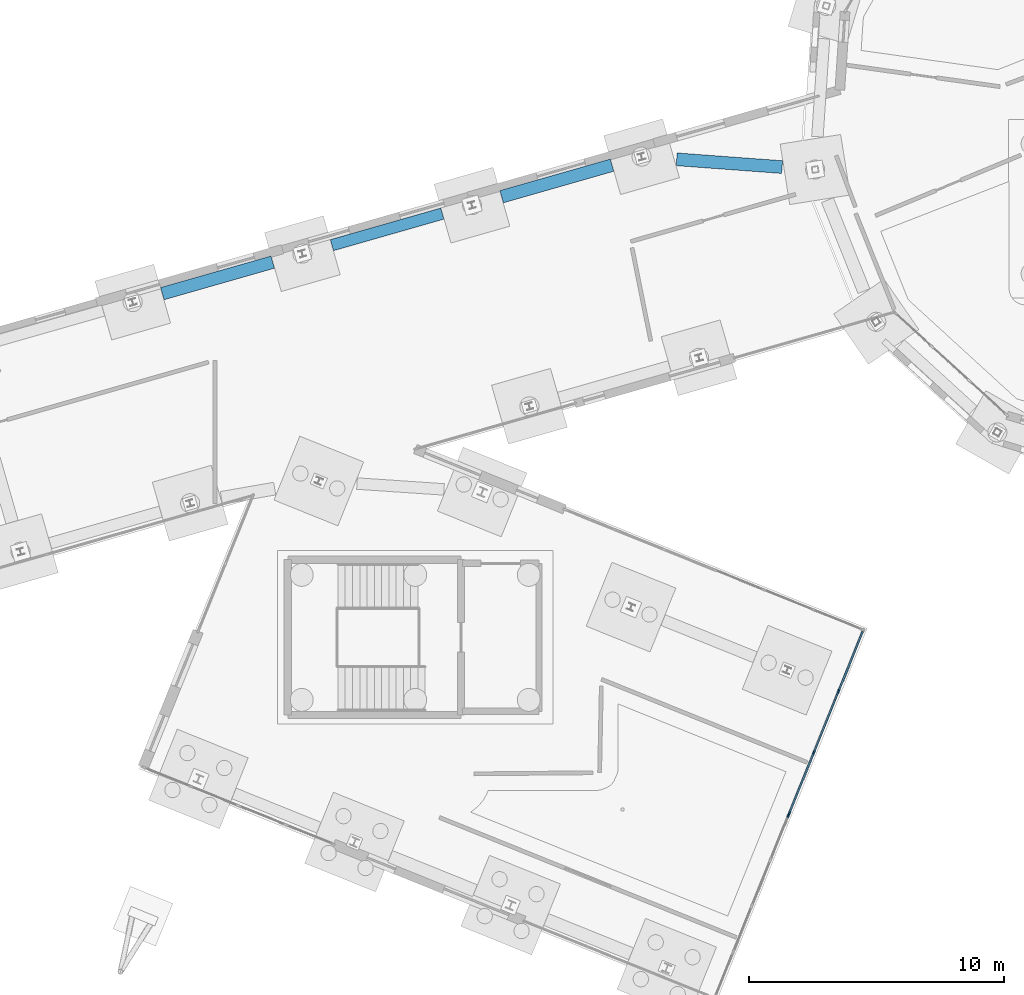
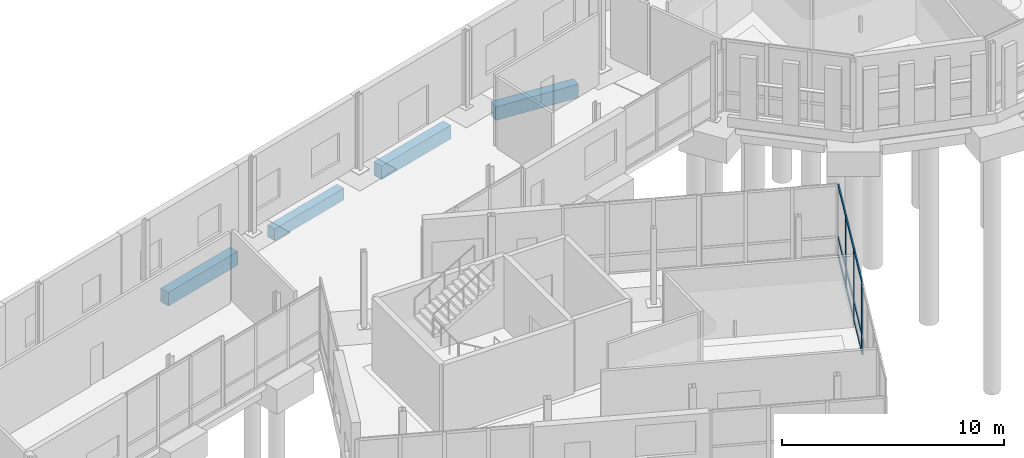
# One storey, part 45 of 113: 13 members, 4 beams, 2 elements without a shape of their own.
"""IFC4 building model written with IfcOpenShell, lengths in metres."""

from ifc_helpers import new_model, si_unit, direction, frame, origin, origin_2d, place, context, subcontext, project, spatial, rectangle, extrude, material, material_profile, profile_set, type_object, element, aggregate, save


model = new_model("IFC4")

# Units and contexts
model_context = context("Model", 3, precision=1e-05, world=origin(), true_north=direction((0.0, 1.0)))
body_context = subcontext(model_context, "Body", "Model", "MODEL_VIEW")
ifc_project = project(units=[si_unit("LENGTHUNIT", "METRE"), si_unit("AREAUNIT", "SQUARE_METRE"), si_unit("VOLUMEUNIT", "CUBIC_METRE"), si_unit("PLANEANGLEUNIT", "RADIAN"), si_unit("MASSUNIT", "GRAM", prefix="KILO")], contexts=[model_context])

# Site, building, storey
site_placement = place(None, origin())
site = spatial("IfcSite", under=ifc_project, at=site_placement, CompositionType="ELEMENT")
building_placement = place(site_placement, origin())
building = spatial("IfcBuilding", under=site, at=building_placement, Name="Wrenclough Park School", CompositionType="ELEMENT")
storey_placement = place(building_placement, origin())
storey = spatial("IfcBuildingStorey", under=building, at=storey_placement, Name="L00", CompositionType="ELEMENT", Elevation=0.0)

# Curtain wall, members
ifc_material_1 = material(Name="Thermally broken aluminium and low-e glass curtain wall", Category="aluminium")
curtain_wall_type_1 = type_object("IfcCurtainWallType", Name="ENV-CW-10", PredefinedType="USERDEFINED", material=ifc_material_1)
curtain_wall_1_placement = place(storey_placement, origin())
curtain_wall_1 = element("IfcCurtainWall", 1, at=curtain_wall_1_placement, inside=storey, type_object=curtain_wall_type_1, Name="L00 recessed curtain wall assembly 073", ObjectType="CURTAIN WALL", PredefinedType="USERDEFINED")
ifc_material_2 = material(Name="Thermally broken anodised aluminium", Category="aluminium")
ifc_material_profile_1 = material_profile(ifc_material_2, rectangle(XDim=0.06494140625, YDim=0.179931640625, at=origin_2d()), Name="AL MULLION 65x180")
ifc_profile_set_1 = profile_set([ifc_material_profile_1], Name="Thermally broken anodised aluminium")
member_type_1 = type_object("IfcMemberType", Name="ENV-CWM-2", PredefinedType="MULLION", material=ifc_profile_set_1)
member_1_placement = place(storey_placement, frame((69.642822265625, 85.782470703125, 0.0), z_axis=(0.0, 0.0, 1.0), x_axis=(0.92719070923, -0.374589627082, 0.0)))
member_1 = element("IfcMember", 2, at=member_1_placement, type_object=member_type_1, Name="CW-10 mullion 2", PredefinedType="MULLION", context=body_context, shape_type="SweptSolid", body=[
    extrude(rectangle(XDim=0.06494140625, YDim=0.179931640625, at=origin_2d()), origin(), (0.0, 0.0, 1.0), 3.93994140625),
])
member_2_placement = place(storey_placement, frame((68.67236328125, 83.380615234375, 0.0), z_axis=(0.0, 0.0, 1.0), x_axis=(0.92719070923, -0.374589627082, 0.0)))
member_2 = element("IfcMember", 3, at=member_2_placement, type_object=member_type_1, Name="CW-10 mullion 3", PredefinedType="MULLION", context=body_context, shape_type="SweptSolid", body=[
    extrude(rectangle(XDim=0.06494140625, YDim=0.179931640625, at=origin_2d()), origin(), (0.0, 0.0, 1.0), 3.93994140625),
])
member_3_placement = place(storey_placement, frame((67.714111328125, 81.008544921875, 0.0), z_axis=(0.0, 0.0, 1.0), x_axis=(0.92719070923, -0.374589627082, 0.0)))
member_3 = element("IfcMember", 4, at=member_3_placement, type_object=member_type_1, Name="CW-10 mullion 4", PredefinedType="MULLION", context=body_context, shape_type="SweptSolid", body=[
    extrude(rectangle(XDim=0.06494140625, YDim=0.179931640625, at=origin_2d()), origin(), (0.0, 0.0, 1.0), 3.93994140625),
])

# Curtain wall, member
curtain_wall_type_2 = type_object("IfcCurtainWallType", Name="ENV-CW-11", PredefinedType="USERDEFINED", material=ifc_material_1)
curtain_wall_2_placement = place(storey_placement, origin())
curtain_wall_2 = element("IfcCurtainWall", 5, at=curtain_wall_2_placement, inside=storey, type_object=curtain_wall_type_2, Name="L00 recessed curtain wall assembly 074", ObjectType="CURTAIN WALL", PredefinedType="USERDEFINED")
ifc_material_profile_2 = material_profile(ifc_material_2, rectangle(XDim=0.070068359375, YDim=0.199951171875, at=origin_2d()), Name="AL MULLION 70x200")
ifc_profile_set_2 = profile_set([ifc_material_profile_2], Name="Thermally broken anodised aluminium")
member_type_2 = type_object("IfcMemberType", Name="ENV-CWM-3", PredefinedType="MULLION", material=ifc_profile_set_2)
member_4_placement = place(storey_placement, frame((67.685791015625, 80.938720703125, 0.0), z_axis=(0.0, 0.0, 1.0), x_axis=(0.927186240353, -0.374600688333, 0.0)))
member_4 = element("IfcMember", 6, at=member_4_placement, type_object=member_type_2, Name="CW-11 mullion 1", PredefinedType="MULLION", context=body_context, shape_type="SweptSolid", body=[
    extrude(rectangle(XDim=0.070068359375, YDim=0.199951171875, at=origin_2d()), origin(), (0.0, 0.0, 1.0), 3.93994140625),
])
aggregate(curtain_wall_2, [member_4])

# Member
ifc_material_profile_3 = material_profile(ifc_material_2, rectangle(XDim=0.06494140625, YDim=0.139892578125, at=origin_2d()), Name="AL TRANSOM 65x140")
ifc_profile_set_3 = profile_set([ifc_material_profile_3], Name="Thermally broken anodised aluminium")
member_type_3 = type_object("IfcMemberType", Name="ENV-CWT-2", PredefinedType="USERDEFINED", material=ifc_profile_set_3)
member_5_placement = place(storey_placement, frame((70.5888671875, 88.124267578125, 0.032470703125), z_axis=(-0.374579627676, -0.927194748977, 0.0), x_axis=(0.927194748977, -0.374579627676, 0.0)))
member_5 = element("IfcMember", 7, at=member_5_placement, type_object=member_type_3, Name="CW-10 transom 1.1", ObjectType="TRANSOM", PredefinedType="USERDEFINED", context=body_context, shape_type="SweptSolid", body=[
    extrude(rectangle(XDim=0.06494140625, YDim=0.139892578125, at=origin_2d()), origin(), (0.0, 0.0, 1.0), 2.492919921875),
])

member_6_placement = place(storey_placement, frame((70.5888671875, 88.124267578125, 1.050048828125), z_axis=(-0.374579627676, -0.927194748977, 0.0), x_axis=(0.927194748977, -0.374579627676, 0.0)))
member_6 = element("IfcMember", 8, at=member_6_placement, type_object=member_type_3, Name="CW-10 transom 1.2", ObjectType="TRANSOM", PredefinedType="USERDEFINED", context=body_context, shape_type="SweptSolid", body=[
    extrude(rectangle(XDim=0.06494140625, YDim=0.139892578125, at=origin_2d()), origin(), (0.0, 0.0, 1.0), 2.492919921875),
])

member_7_placement = place(storey_placement, frame((70.5888671875, 88.124267578125, 3.907470703125), z_axis=(-0.374579627676, -0.927194748977, 0.0), x_axis=(0.927194748977, -0.374579627676, 0.0)))
member_7 = element("IfcMember", 9, at=member_7_placement, type_object=member_type_3, Name="CW-10 transom 1.3", ObjectType="TRANSOM", PredefinedType="USERDEFINED", context=body_context, shape_type="SweptSolid", body=[
    extrude(rectangle(XDim=0.06494140625, YDim=0.139892578125, at=origin_2d()), origin(), (0.0, 0.0, 1.0), 2.492919921875),
])

member_8_placement = place(storey_placement, frame((69.630615234375, 85.75244140625, 0.032470703125), z_axis=(-0.374571728347, -0.927197940207, 0.0), x_axis=(0.927197940207, -0.374571728347, 0.0)))
member_8 = element("IfcMember", 10, at=member_8_placement, type_object=member_type_3, Name="CW-10 transom 2.1", ObjectType="TRANSOM", PredefinedType="USERDEFINED", context=body_context, shape_type="SweptSolid", body=[
    extrude(rectangle(XDim=0.06494140625, YDim=0.139892578125, at=origin_2d()), origin(), (0.0, 0.0, 1.0), 2.525634765625),
])

member_9_placement = place(storey_placement, frame((69.630615234375, 85.75244140625, 1.050048828125), z_axis=(-0.374571728347, -0.927197940207, 0.0), x_axis=(0.927197940207, -0.374571728347, 0.0)))
member_9 = element("IfcMember", 11, at=member_9_placement, type_object=member_type_3, Name="CW-10 transom 2.2", ObjectType="TRANSOM", PredefinedType="USERDEFINED", context=body_context, shape_type="SweptSolid", body=[
    extrude(rectangle(XDim=0.06494140625, YDim=0.139892578125, at=origin_2d()), origin(), (0.0, 0.0, 1.0), 2.525634765625),
])

member_10_placement = place(storey_placement, frame((69.630615234375, 85.75244140625, 3.907470703125), z_axis=(-0.374571728347, -0.927197940207, 0.0), x_axis=(0.927197940207, -0.374571728347, 0.0)))
member_10 = element("IfcMember", 12, at=member_10_placement, type_object=member_type_3, Name="CW-10 transom 2.3", ObjectType="TRANSOM", PredefinedType="USERDEFINED", context=body_context, shape_type="SweptSolid", body=[
    extrude(rectangle(XDim=0.06494140625, YDim=0.139892578125, at=origin_2d()), origin(), (0.0, 0.0, 1.0), 2.525634765625),
])

member_11_placement = place(storey_placement, frame((68.66015625, 83.350341796875, 0.032470703125), z_axis=(-0.374579627676, -0.927194748977, 0.0), x_axis=(0.927194748977, -0.374579627676, 0.0)))
member_11 = element("IfcMember", 13, at=member_11_placement, type_object=member_type_3, Name="CW-10 transom 3.1", ObjectType="TRANSOM", PredefinedType="USERDEFINED", context=body_context, shape_type="SweptSolid", body=[
    extrude(rectangle(XDim=0.06494140625, YDim=0.139892578125, at=origin_2d()), origin(), (0.0, 0.0, 1.0), 2.492919921875),
])

member_12_placement = place(storey_placement, frame((68.66015625, 83.350341796875, 1.050048828125), z_axis=(-0.374579627676, -0.927194748977, 0.0), x_axis=(0.927194748977, -0.374579627676, 0.0)))
member_12 = element("IfcMember", 14, at=member_12_placement, type_object=member_type_3, Name="CW-10 transom 3.2", ObjectType="TRANSOM", PredefinedType="USERDEFINED", context=body_context, shape_type="SweptSolid", body=[
    extrude(rectangle(XDim=0.06494140625, YDim=0.139892578125, at=origin_2d()), origin(), (0.0, 0.0, 1.0), 2.492919921875),
])

member_13_placement = place(storey_placement, frame((68.66015625, 83.350341796875, 3.907470703125), z_axis=(-0.374579627676, -0.927194748977, 0.0), x_axis=(0.927194748977, -0.374579627676, 0.0)))
member_13 = element("IfcMember", 15, at=member_13_placement, type_object=member_type_3, Name="CW-10 transom 3.3", ObjectType="TRANSOM", PredefinedType="USERDEFINED", context=body_context, shape_type="SweptSolid", body=[
    extrude(rectangle(XDim=0.06494140625, YDim=0.139892578125, at=origin_2d()), origin(), (0.0, 0.0, 1.0), 2.492919921875),
])

aggregate(curtain_wall_1, [member_1, member_2, member_3, member_5, member_6, member_7, member_8, member_9, member_10, member_11, member_12, member_13])

# Beams
ifc_material_3 = material(Name="Concrete C35/45", Category="concrete")
ifc_material_profile_4 = material_profile(ifc_material_3, rectangle(XDim=0.449951171875, YDim=0.64990234375, at=origin_2d()), Name="RC GROUND 450x650")
ifc_profile_set_4 = profile_set([ifc_material_profile_4], Name="Concrete C35/45")
beam_type_1 = type_object("IfcBeamType", Name="STR-BM-GTB1", PredefinedType="USERDEFINED", material=ifc_profile_set_4)
beam_1_placement = place(storey_placement, frame((49.78515625, 103.274169921875, -0.625), z_axis=(0.961534183476, 0.274685299946, 0.0), x_axis=(-0.274685299946, 0.961534183476, 0.0)))
element("IfcBeam", 16, at=beam_1_placement, inside=storey, type_object=beam_type_1, Name="Reinforced concrete ground tie beam 143", ObjectType="GROUND TIE BEAM", PredefinedType="USERDEFINED", context=body_context, shape_type="SweptSolid", body=[
    extrude(rectangle(XDim=0.449951171875, YDim=0.64990234375, at=origin_2d()), origin(), (0.0, 0.0, 1.0), 4.5),
])
ifc_material_profile_5 = material_profile(ifc_material_3, rectangle(XDim=0.5, YDim=0.75, at=origin_2d()), Name="RC GROUND 500x750")
ifc_profile_set_5 = profile_set([ifc_material_profile_5], Name="Concrete C35/45")
beam_type_2 = type_object("IfcBeamType", Name="STR-BM-GTB2", PredefinedType="USERDEFINED", material=ifc_profile_set_5)
for number, where, z_axis, x_axis, name in (
    (17, (43.135009765625, 101.3740234375, -0.675048828125), (0.961523947641, 0.274721127897, 0.0), (-0.274721127897, 0.961523947641, 0.0), "Reinforced concrete ground tie beam 142"),
    (18, (56.43505859375, 105.174072265625, -0.675048828125), (0.961523947641, 0.274721127897, 0.0), (-0.274721127897, 0.961523947641, 0.0), "Reinforced concrete ground tie beam 144"),
):
    element("IfcBeam", number, at=place(storey_placement, frame(where, z_axis=z_axis, x_axis=x_axis)), inside=storey, type_object=beam_type_2, Name=name, ObjectType="GROUND TIE BEAM", PredefinedType="USERDEFINED", context=body_context, shape_type="SweptSolid", body=[
        extrude(rectangle(XDim=0.5, YDim=0.75, at=origin_2d()), origin(), (0.0, 0.0, 1.0), 4.500244140625),
    ])
beam_2_placement = place(storey_placement, frame((63.298828125, 106.640625, -0.675048828125), z_axis=(0.997278837879, -0.073721906647, 0.0), x_axis=(0.073721906647, 0.997278837879, 0.0)))
element("IfcBeam", 19, at=beam_2_placement, inside=storey, type_object=beam_type_2, Name="Reinforced concrete ground tie beam 146", ObjectType="GROUND TIE BEAM", PredefinedType="USERDEFINED", context=body_context, shape_type="SweptSolid", body=[
    extrude(rectangle(XDim=0.5, YDim=0.75, at=origin_2d()), origin(), (0.0, 0.0, 1.0), 4.142822265625),
])

save(model, "model.ifc")
